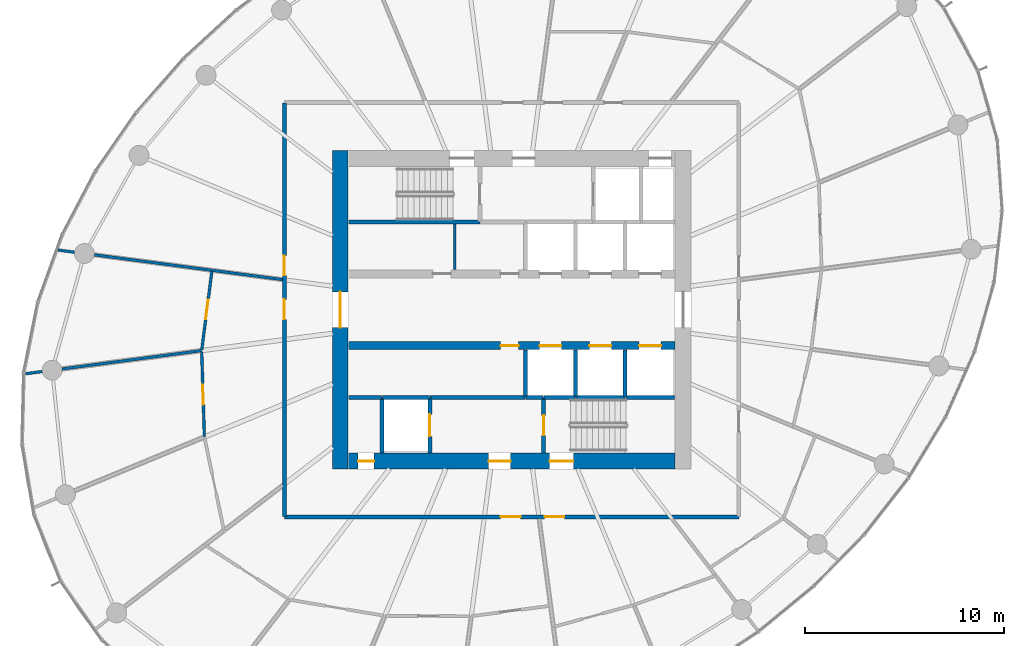
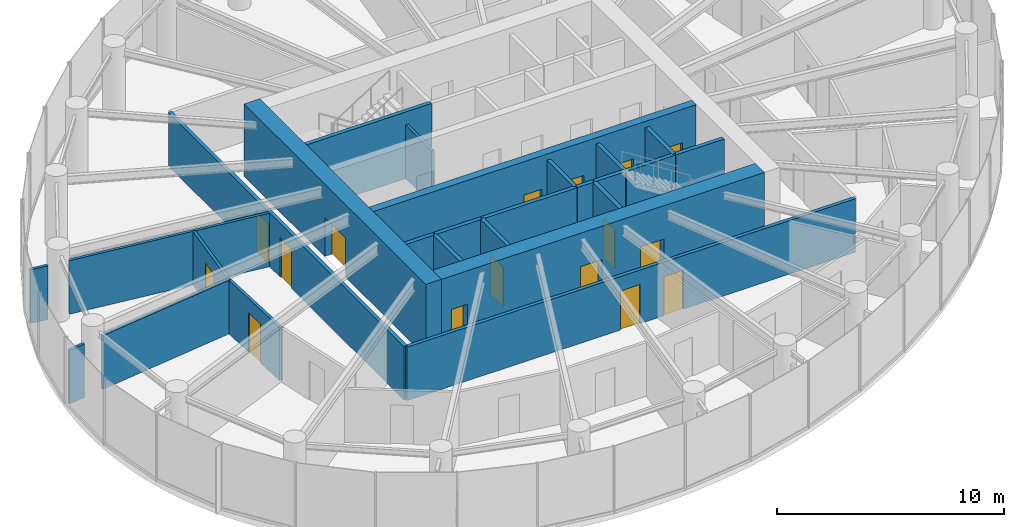
# One storey, part 9 of 14: 27 walls, 16 doors, 16 openings.
"""IFC4 building model written with IfcOpenShell, lengths in metres."""

from ifc_helpers import new_model, si_unit, direction, frame, frame_2d, origin, place, context, subcontext, project, spatial, rectangle, extrude, source, transform, mapped, material, layer, layer_set, type_object, element, fill, save


model = new_model("IFC4")

# Units and contexts
model_context = context("Model", 3, precision=1e-05, world=origin(), true_north=direction((0.0, 1.0)))
body_context = subcontext(model_context, "Body", "Model", "MODEL_VIEW")
ifc_project = project(units=[si_unit("LENGTHUNIT", "METRE"), si_unit("AREAUNIT", "SQUARE_METRE"), si_unit("VOLUMEUNIT", "CUBIC_METRE"), si_unit("PLANEANGLEUNIT", "RADIAN"), si_unit("MASSUNIT", "GRAM", prefix="KILO")], contexts=[model_context])

# Site, building, storey
site_placement = place(None, origin())
site = spatial("IfcSite", under=ifc_project, at=site_placement, CompositionType="ELEMENT")
building_placement = place(site_placement, origin())
building = spatial("IfcBuilding", under=site, at=building_placement, Name="Spindrift Exchange Tower", CompositionType="ELEMENT")
storey_placement = place(building_placement, frame((0.0, 0.0, 164.300048828125)))
storey = spatial("IfcBuildingStorey", under=building, at=storey_placement, Name="L39", CompositionType="ELEMENT", Elevation=164.300048828125)

# Wall, opening, door
ifc_material_1 = material(Name="Concrete 65 MPa", Category="concrete")
ifc_layer_1 = layer(ifc_material_1, 0.800048828125)
ifc_layer_set_1 = layer_set([ifc_layer_1], Name="RC Core Wall 800 Concrete 65 MPa")
wall_type_1 = type_object("IfcWallType", Name="RC Core Wall 800 Concrete 65 MPa", PredefinedType="SHEAR", material=ifc_layer_set_1)
wall_1_placement = place(storey_placement, frame((43.39990234375, 56.0, 0.0), z_axis=(0.0, 0.0, 1.0), x_axis=(0.0, -1.0, 0.0)))
wall_1 = element("IfcWall", 1, at=wall_1_placement, inside=storey, type_object=wall_type_1, Name="Core wall W L39", PredefinedType="SHEAR", context=body_context, shape_type="SweptSolid", body=[
    extrude(rectangle(XDim=16.0, YDim=0.800048828125, at=frame_2d((8.0, 0.0))), origin(), (0.0, 0.0, 1.0), 3.89990234375),
])
opening_1_placement = place(wall_1_placement, frame((7.10009765625, 0.0, 0.0)))
opening_1 = element("IfcOpeningElement", 2, at=opening_1_placement, cuts=wall_1, Name="Opening L39-D1", PredefinedType="OPENING", context=body_context, shape_type="SweptSolid", body=[
    extrude(rectangle(XDim=1.800048828125, YDim=2.10009765625, at=frame_2d((0.89990234375, 1.050048828125))), frame((0.0, 0.409912109375, 0.0), z_axis=(0.0, -1.0, 0.0), x_axis=(1.0, 0.0, 0.0)), (0.0, 0.0, 1.0), 0.820068359375),
])
ifc_material_2 = material(Name="Timber-core fire door", Category="wood")
door_type_1 = type_object("IfcDoorType", Name="DR-LOBBY-1800", OperationType="NOTDEFINED", PredefinedType="DOOR", material=ifc_material_2)
shared_shape_1 = source(origin(), body_context, "Body", "SweptSolid", [
    extrude(rectangle(XDim=1.800048828125, YDim=2.10009765625, at=frame_2d((0.89990234375, 1.050048828125))), frame((0.0, 0.02490234375, 0.0), z_axis=(0.0, -1.0, 0.0), x_axis=(1.0, 0.0, 0.0)), (0.0, 0.0, 1.0), 0.050048828125),
])
door_1_placement = place(opening_1_placement, origin())
door_1 = element("IfcDoor", 3, at=door_1_placement, inside=storey, type_object=door_type_1, Name="L39 Lobby door 1", OperationType="SINGLE_SWING_LEFT", OverallHeight=2.10009765625, OverallWidth=1.800048828125, PredefinedType="DOOR", context=body_context, shape_type="MappedRepresentation", body=[
    mapped(shared_shape_1, transform((0.0, 0.0, 0.0), scale=1.0)),
])
fill(opening_1, door_1)

# Wall, openings, doors
wall_2_placement = place(storey_placement, frame((43.800048828125, 40.39990234375, 0.0), z_axis=(0.0, 0.0, 1.0), x_axis=(1.0, 0.0, 0.0)))
wall_2 = element("IfcWall", 4, at=wall_2_placement, inside=storey, type_object=wall_type_1, Name="Core wall S L39", PredefinedType="SHEAR", context=body_context, shape_type="SweptSolid", body=[
    extrude(rectangle(XDim=16.39990234375, YDim=0.800048828125, at=frame_2d((8.199951171875, 0.0))), origin(), (0.0, 0.0, 1.0), 3.89990234375),
])
opening_2_placement = place(wall_2_placement, frame((10.10009765625, 0.0, 0.0)))
opening_2 = element("IfcOpeningElement", 5, at=opening_2_placement, cuts=wall_2, Name="Opening L39-D15", PredefinedType="OPENING", context=body_context, shape_type="SweptSolid", body=[
    extrude(rectangle(XDim=1.199951171875, YDim=2.10009765625, at=frame_2d((0.60009765625, 1.050048828125))), frame((0.0, 0.409912109375, 0.0), z_axis=(0.0, -1.0, 0.0), x_axis=(1.0, 0.0, 0.0)), (0.0, 0.0, 1.0), 0.820068359375),
])
opening_3_placement = place(wall_2_placement, frame((7.050048828125, 0.0, 0.0)))
opening_3 = element("IfcOpeningElement", 6, at=opening_3_placement, cuts=wall_2, Name="Opening L39-D17", PredefinedType="OPENING", context=body_context, shape_type="SweptSolid", body=[
    extrude(rectangle(XDim=1.10009765625, YDim=2.10009765625, at=frame_2d((0.550048828125, 1.050048828125))), frame((0.0, 0.409912109375, 0.0), z_axis=(0.0, -1.0, 0.0), x_axis=(1.0, 0.0, 0.0)), (0.0, 0.0, 1.0), 0.820068359375),
])
opening_4_placement = place(wall_2_placement, frame((0.5, 0.0, 0.0)))
opening_4 = element("IfcOpeningElement", 7, at=opening_4_placement, cuts=wall_2, Name="Opening L39-D18", PredefinedType="OPENING", context=body_context, shape_type="SweptSolid", body=[
    extrude(rectangle(XDim=0.800048828125, YDim=2.10009765625, at=frame_2d((0.39990234375, 1.050048828125))), frame((0.0, 0.409912109375, 0.0), z_axis=(0.0, -1.0, 0.0), x_axis=(1.0, 0.0, 0.0)), (0.0, 0.0, 1.0), 0.820068359375),
])
ifc_material_3 = material(Name="Steel fire door", Category="steel")
door_type_2 = type_object("IfcDoorType", Name="DR-STAIR-1200", OperationType="NOTDEFINED", PredefinedType="DOOR", material=ifc_material_3)
shared_shape_2 = source(origin(), body_context, "Body", "SweptSolid", [
    extrude(rectangle(XDim=1.199951171875, YDim=2.10009765625, at=frame_2d((0.60009765625, 1.050048828125))), frame((0.0, 0.02490234375, 0.0), z_axis=(0.0, -1.0, 0.0), x_axis=(1.0, 0.0, 0.0)), (0.0, 0.0, 1.0), 0.050048828125),
])
door_2_placement = place(opening_2_placement, origin())
door_2 = element("IfcDoor", 8, at=door_2_placement, inside=storey, type_object=door_type_2, Name="L39 Stair door 15", OperationType="SINGLE_SWING_RIGHT", OverallHeight=2.10009765625, OverallWidth=1.199951171875, PredefinedType="DOOR", context=body_context, shape_type="MappedRepresentation", body=[
    mapped(shared_shape_2, transform((0.0, 0.0, 0.0), scale=1.0)),
])
fill(opening_2, door_2)
door_type_3 = type_object("IfcDoorType", Name="DR-LOBBY-1100", OperationType="NOTDEFINED", PredefinedType="DOOR", material=ifc_material_2)
shared_shape_3 = source(origin(), body_context, "Body", "SweptSolid", [
    extrude(rectangle(XDim=1.10009765625, YDim=2.10009765625, at=frame_2d((0.550048828125, 1.050048828125))), frame((0.0, 0.02490234375, 0.0), z_axis=(0.0, -1.0, 0.0), x_axis=(1.0, 0.0, 0.0)), (0.0, 0.0, 1.0), 0.050048828125),
])
door_3_placement = place(opening_3_placement, origin())
door_3 = element("IfcDoor", 9, at=door_3_placement, inside=storey, type_object=door_type_3, Name="L39 Lobby door 17", OperationType="SINGLE_SWING_RIGHT", OverallHeight=2.10009765625, OverallWidth=1.10009765625, PredefinedType="DOOR", context=body_context, shape_type="MappedRepresentation", body=[
    mapped(shared_shape_3, transform((0.0, 0.0, 0.0), scale=1.0)),
])
fill(opening_3, door_3)
ifc_material_4 = material(Name="Steel access door", Category="steel")
door_type_4 = type_object("IfcDoorType", Name="DR-RISER-800", OperationType="NOTDEFINED", PredefinedType="DOOR", material=ifc_material_4)
shared_shape_4 = source(origin(), body_context, "Body", "SweptSolid", [
    extrude(rectangle(XDim=0.800048828125, YDim=2.10009765625, at=frame_2d((0.39990234375, 1.050048828125))), frame((0.0, 0.02490234375, 0.0), z_axis=(0.0, -1.0, 0.0), x_axis=(1.0, 0.0, 0.0)), (0.0, 0.0, 1.0), 0.050048828125),
])
door_4_placement = place(opening_4_placement, origin())
door_4 = element("IfcDoor", 10, at=door_4_placement, inside=storey, type_object=door_type_4, Name="L39 Riser door 18", OperationType="SINGLE_SWING_LEFT", OverallHeight=2.10009765625, OverallWidth=0.800048828125, PredefinedType="DOOR", context=body_context, shape_type="MappedRepresentation", body=[
    mapped(shared_shape_4, transform((0.0, 0.0, 0.0), scale=1.0)),
])
fill(opening_4, door_4)

ifc_layer_2 = layer(ifc_material_1, 0.39990234375)
ifc_layer_set_2 = layer_set([ifc_layer_2], Name="RC Spine Wall 400 Concrete 65 MPa")
wall_type_2 = type_object("IfcWallType", Name="RC Spine Wall 400 Concrete 65 MPa", PredefinedType="SHEAR", material=ifc_layer_set_2)
wall_3_placement = place(storey_placement, frame((43.800048828125, 46.199951171875, 0.0), z_axis=(0.0, 0.0, 1.0), x_axis=(1.0, 0.0, 0.0)))
wall_3 = element("IfcWall", 11, at=wall_3_placement, inside=storey, type_object=wall_type_2, Name="Core spine wall S L39", PredefinedType="SHEAR", context=body_context, shape_type="SweptSolid", body=[
    extrude(rectangle(XDim=16.39990234375, YDim=0.39990234375, at=frame_2d((8.199951171875, 0.0))), origin(), (0.0, 0.0, 1.0), 3.89990234375),
])
opening_5_placement = place(wall_3_placement, frame((9.60009765625, 0.0, 0.0)))
opening_5 = element("IfcOpeningElement", 12, at=opening_5_placement, cuts=wall_3, Name="Opening L39-D6", PredefinedType="OPENING", context=body_context, shape_type="SweptSolid", body=[
    extrude(rectangle(XDim=1.10009765625, YDim=2.10009765625, at=frame_2d((0.550048828125, 1.050048828125))), frame((0.0, 0.2099609375, 0.0), z_axis=(0.0, -1.0, 0.0), x_axis=(1.0, 0.0, 0.0)), (0.0, 0.0, 1.0), 0.419921875),
])
opening_6_placement = place(wall_3_placement, frame((12.10009765625, 0.0, 0.0)))
opening_6 = element("IfcOpeningElement", 13, at=opening_6_placement, cuts=wall_3, Name="Opening L39-D7", PredefinedType="OPENING", context=body_context, shape_type="SweptSolid", body=[
    extrude(rectangle(XDim=1.10009765625, YDim=2.10009765625, at=frame_2d((0.550048828125, 1.050048828125))), frame((0.0, 0.2099609375, 0.0), z_axis=(0.0, -1.0, 0.0), x_axis=(1.0, 0.0, 0.0)), (0.0, 0.0, 1.0), 0.419921875),
])
opening_7_placement = place(wall_3_placement, frame((14.60009765625, 0.0, 0.0)))
opening_7 = element("IfcOpeningElement", 14, at=opening_7_placement, cuts=wall_3, Name="Opening L39-D8", PredefinedType="OPENING", context=body_context, shape_type="SweptSolid", body=[
    extrude(rectangle(XDim=1.10009765625, YDim=2.10009765625, at=frame_2d((0.550048828125, 1.050048828125))), frame((0.0, 0.2099609375, 0.0), z_axis=(0.0, -1.0, 0.0), x_axis=(1.0, 0.0, 0.0)), (0.0, 0.0, 1.0), 0.419921875),
])
opening_8_placement = place(wall_3_placement, frame((7.64990234375, 0.0, 0.0)))
opening_8 = element("IfcOpeningElement", 15, at=opening_8_placement, cuts=wall_3, Name="Opening L39-D48", PredefinedType="OPENING", context=body_context, shape_type="SweptSolid", body=[
    extrude(rectangle(XDim=0.89990234375, YDim=2.10009765625, at=frame_2d((0.449951171875, 1.050048828125))), frame((0.0, 0.2099609375, 0.0), z_axis=(0.0, -1.0, 0.0), x_axis=(1.0, 0.0, 0.0)), (0.0, 0.0, 1.0), 0.419921875),
])
ifc_material_5 = material(Name="Stainless steel landing door", Category="steel")
door_type_5 = type_object("IfcDoorType", Name="DR-LANDING-1100-SL", OperationType="DOUBLE_DOOR_SLIDING", PredefinedType="USERDEFINED", material=ifc_material_5)
shared_shape_5 = source(origin(), body_context, "Body", "SweptSolid", [
    extrude(rectangle(XDim=1.10009765625, YDim=2.10009765625, at=frame_2d((0.550048828125, 1.050048828125))), frame((0.0, 0.02490234375, 0.0), z_axis=(0.0, -1.0, 0.0), x_axis=(1.0, 0.0, 0.0)), (0.0, 0.0, 1.0), 0.050048828125),
])
door_5_placement = place(opening_5_placement, origin())
door_5 = element("IfcDoor", 16, at=door_5_placement, inside=storey, type_object=door_type_5, Name="L39 Lift landing door 6", ObjectType="LANDING DOOR", OperationType="DOUBLE_DOOR_SLIDING", OverallHeight=2.10009765625, OverallWidth=1.10009765625, PredefinedType="USERDEFINED", context=body_context, shape_type="MappedRepresentation", body=[
    mapped(shared_shape_5, transform((0.0, 0.0, 0.0), scale=1.0)),
])
fill(opening_5, door_5)
door_6_placement = place(opening_6_placement, origin())
door_6 = element("IfcDoor", 17, at=door_6_placement, inside=storey, type_object=door_type_5, Name="L39 Lift landing door 7", ObjectType="LANDING DOOR", OperationType="DOUBLE_DOOR_SLIDING", OverallHeight=2.10009765625, OverallWidth=1.10009765625, PredefinedType="USERDEFINED", context=body_context, shape_type="MappedRepresentation", body=[
    mapped(shared_shape_5, transform((0.0, 0.0, 0.0), scale=1.0)),
])
fill(opening_6, door_6)
door_7_placement = place(opening_7_placement, origin())
door_7 = element("IfcDoor", 18, at=door_7_placement, inside=storey, type_object=door_type_5, Name="L39 Lift landing door 8", ObjectType="LANDING DOOR", OperationType="DOUBLE_DOOR_SLIDING", OverallHeight=2.10009765625, OverallWidth=1.10009765625, PredefinedType="USERDEFINED", context=body_context, shape_type="MappedRepresentation", body=[
    mapped(shared_shape_5, transform((0.0, 0.0, 0.0), scale=1.0)),
])
fill(opening_7, door_7)
door_type_6 = type_object("IfcDoorType", Name="DR-RISER-900", OperationType="NOTDEFINED", PredefinedType="DOOR", material=ifc_material_4)
shared_shape_6 = source(origin(), body_context, "Body", "SweptSolid", [
    extrude(rectangle(XDim=0.89990234375, YDim=2.10009765625, at=frame_2d((0.449951171875, 1.050048828125))), frame((0.0, 0.02490234375, 0.0), z_axis=(0.0, -1.0, 0.0), x_axis=(1.0, 0.0, 0.0)), (0.0, 0.0, 1.0), 0.050048828125),
])
door_8_placement = place(opening_8_placement, origin())
door_8 = element("IfcDoor", 19, at=door_8_placement, inside=storey, type_object=door_type_6, Name="L39 Riser door 48", OperationType="SINGLE_SWING_LEFT", OverallHeight=2.10009765625, OverallWidth=0.89990234375, PredefinedType="DOOR", context=body_context, shape_type="MappedRepresentation", body=[
    mapped(shared_shape_6, transform((0.0, 0.0, 0.0), scale=1.0)),
])
fill(opening_8, door_8)

ifc_material_6 = material(Name="Fire-rated plasterboard partition", Category="gypsum")
ifc_layer_3 = layer(ifc_material_6, 0.179931640625)
ifc_layer_set_3 = layer_set([ifc_layer_3], Name="W-CORR-180")
wall_type_3 = type_object("IfcWallType", Name="W-CORR-180", PredefinedType="PARTITIONING", material=ifc_layer_set_3)
wall_4_placement = place(storey_placement, frame((63.39990234375, 37.60009765625, 0.0), z_axis=(0.0, 0.0, 1.0), x_axis=(-1.0, 0.0, 0.0)))
wall_4 = element("IfcWall", 20, at=wall_4_placement, inside=storey, type_object=wall_type_3, Name="L39 Partition wall 28", PredefinedType="PARTITIONING", context=body_context, shape_type="SweptSolid", body=[
    extrude(rectangle(XDim=22.7998046875, YDim=0.179931640625, at=frame_2d((11.39990234375, 0.0))), origin(), (0.0, 0.0, 1.0), 2.8798828125),
])
opening_9_placement = place(wall_4_placement, frame((10.949951171875, 0.0, 0.0)))
opening_9 = element("IfcOpeningElement", 21, at=opening_9_placement, cuts=wall_4, Name="Opening L39-D28", PredefinedType="OPENING", context=body_context, shape_type="SweptSolid", body=[
    extrude(rectangle(XDim=1.0, YDim=2.10009765625, at=frame_2d((0.5, 1.050048828125))), frame((0.0, 0.099853515625, 0.0), z_axis=(0.0, -1.0, 0.0), x_axis=(1.0, 0.0, 0.0)), (0.0, 0.0, 1.0), 0.199951171875),
])
opening_10_placement = place(wall_4_placement, frame((8.75, 0.0, 0.0)))
opening_10 = element("IfcOpeningElement", 22, at=opening_10_placement, cuts=wall_4, Name="Opening L39-D33", PredefinedType="OPENING", context=body_context, shape_type="SweptSolid", body=[
    extrude(rectangle(XDim=1.0, YDim=2.10009765625, at=frame_2d((0.5, 1.050048828125))), frame((0.0, 0.099853515625, 0.0), z_axis=(0.0, -1.0, 0.0), x_axis=(1.0, 0.0, 0.0)), (0.0, 0.0, 1.0), 0.199951171875),
])
door_type_7 = type_object("IfcDoorType", Name="DR-ROOM-1000", OperationType="NOTDEFINED", PredefinedType="DOOR", material=ifc_material_2)
shared_shape_7 = source(origin(), body_context, "Body", "SweptSolid", [
    extrude(rectangle(XDim=1.0, YDim=2.10009765625, at=frame_2d((0.5, 1.050048828125))), frame((0.0, 0.02490234375, 0.0), z_axis=(0.0, -1.0, 0.0), x_axis=(1.0, 0.0, 0.0)), (0.0, 0.0, 1.0), 0.050048828125),
])
door_9_placement = place(opening_9_placement, origin())
door_9 = element("IfcDoor", 23, at=door_9_placement, inside=storey, type_object=door_type_7, Name="L39 Door 28", OperationType="SINGLE_SWING_LEFT", OverallHeight=2.10009765625, OverallWidth=1.0, PredefinedType="DOOR", context=body_context, shape_type="MappedRepresentation", body=[
    mapped(shared_shape_7, transform((0.0, 0.0, 0.0), scale=1.0)),
])
fill(opening_9, door_9)
door_10_placement = place(opening_10_placement, origin())
door_10 = element("IfcDoor", 24, at=door_10_placement, inside=storey, type_object=door_type_7, Name="L39 Door 33", OperationType="SINGLE_SWING_RIGHT", OverallHeight=2.10009765625, OverallWidth=1.0, PredefinedType="DOOR", context=body_context, shape_type="MappedRepresentation", body=[
    mapped(shared_shape_7, transform((0.0, 0.0, 0.0), scale=1.0)),
])
fill(opening_10, door_10)

wall_5_placement = place(storey_placement, frame((40.60009765625, 37.6298828125, 0.0), z_axis=(0.0, 0.0, 1.0), x_axis=(0.0, 1.0, 0.0)))
wall_5 = element("IfcWall", 25, at=wall_5_placement, inside=storey, type_object=wall_type_3, Name="L39 Partition wall 30", PredefinedType="PARTITIONING", context=body_context, shape_type="SweptSolid", body=[
    extrude(rectangle(XDim=20.740234375, YDim=0.179931640625, at=frame_2d((10.3701171875, 0.0))), origin(), (0.0, 0.0, 1.0), 2.8798828125),
])
opening_11_placement = place(wall_5_placement, frame((12.090087890625, 0.0, 0.0)))
opening_11 = element("IfcOpeningElement", 26, at=opening_11_placement, cuts=wall_5, Name="Opening L39-D23", PredefinedType="OPENING", context=body_context, shape_type="SweptSolid", body=[
    extrude(rectangle(XDim=1.0, YDim=2.10009765625, at=frame_2d((0.5, 1.050048828125))), frame((0.0, 0.099853515625, 0.0), z_axis=(0.0, -1.0, 0.0), x_axis=(1.0, 0.0, 0.0)), (0.0, 0.0, 1.0), 0.199951171875),
])
opening_12_placement = place(wall_5_placement, frame((9.889892578125, 0.0, 0.0)))
opening_12 = element("IfcOpeningElement", 27, at=opening_12_placement, cuts=wall_5, Name="Opening L39-D24", PredefinedType="OPENING", context=body_context, shape_type="SweptSolid", body=[
    extrude(rectangle(XDim=1.0, YDim=2.10009765625, at=frame_2d((0.5, 1.050048828125))), frame((0.0, 0.099853515625, 0.0), z_axis=(0.0, -1.0, 0.0), x_axis=(1.0, 0.0, 0.0)), (0.0, 0.0, 1.0), 0.199951171875),
])
door_11_placement = place(opening_11_placement, origin())
door_11 = element("IfcDoor", 28, at=door_11_placement, inside=storey, type_object=door_type_7, Name="L39 Door 23", OperationType="SINGLE_SWING_RIGHT", OverallHeight=2.10009765625, OverallWidth=1.0, PredefinedType="DOOR", context=body_context, shape_type="MappedRepresentation", body=[
    mapped(shared_shape_7, transform((0.0, 0.0, 0.0), scale=1.0)),
])
fill(opening_11, door_11)
door_12_placement = place(opening_12_placement, origin())
door_12 = element("IfcDoor", 29, at=door_12_placement, inside=storey, type_object=door_type_7, Name="L39 Door 24", OperationType="SINGLE_SWING_LEFT", OverallHeight=2.10009765625, OverallWidth=1.0, PredefinedType="DOOR", context=body_context, shape_type="MappedRepresentation", body=[
    mapped(shared_shape_7, transform((0.0, 0.0, 0.0), scale=1.0)),
])
fill(opening_12, door_12)

# Walls
ifc_layer_4 = layer(ifc_material_6, 0.139892578125)
ifc_layer_set_4 = layer_set([ifc_layer_4], Name="W-PART-140")
wall_type_4 = type_object("IfcWallType", Name="W-PART-140", PredefinedType="PARTITIONING", material=ifc_layer_set_4)
wall_6_placement = place(storey_placement, frame((36.444091796875, 45.951904296875, 0.0), z_axis=(0.0, 0.0, 1.0), x_axis=(-0.991449473543, -0.130491154531, 0.0)))
element("IfcWall", 30, at=wall_6_placement, inside=storey, type_object=wall_type_4, Name="L39 Partition wall 34", PredefinedType="PARTITIONING", context=body_context, shape_type="SweptSolid", body=[
    extrude(rectangle(XDim=7.06640625, YDim=0.139892578125, at=frame_2d((3.533203125, 0.0))), origin(), (0.0, 0.0, 1.0), 2.8798828125),
])
wall_7_placement = place(storey_placement, frame((36.96142578125, 49.97998046875, 0.0), z_axis=(0.0, 0.0, 1.0), x_axis=(-0.991449269799, 0.130492702536, 0.0)))
element("IfcWall", 31, at=wall_7_placement, inside=storey, type_object=wall_type_4, Name="L39 Partition wall 39", PredefinedType="PARTITIONING", context=body_context, shape_type="SweptSolid", body=[
    extrude(rectangle(XDim=5.953369140625, YDim=0.139892578125, at=frame_2d((2.9765625, 0.0))), origin(), (0.0, 0.0, 1.0), 2.8798828125),
])

# Wall, opening, door
wall_8_placement = place(storey_placement, frame((36.579345703125, 41.642822265625, 0.0), z_axis=(0.0, 0.0, 1.0), x_axis=(-0.031374938864, 0.999507685419, 0.0)))
wall_8 = element("IfcWall", 32, at=wall_8_placement, inside=storey, type_object=wall_type_4, Name="L39 Partition wall 58", PredefinedType="PARTITIONING", context=body_context, shape_type="SweptSolid", body=[
    extrude(rectangle(XDim=4.240966796875, YDim=0.139892578125, at=frame_2d((2.12060546875, 0.0))), origin(), (0.0, 0.0, 1.0), 2.8798828125),
])
opening_13_placement = place(wall_8_placement, frame((1.5908203125, 0.0, 0.0)))
opening_13 = element("IfcOpeningElement", 33, at=opening_13_placement, cuts=wall_8, Name="Opening L39-D26", PredefinedType="OPENING", context=body_context, shape_type="SweptSolid", body=[
    extrude(rectangle(XDim=1.0, YDim=2.10009765625, at=frame_2d((0.5, 1.050048828125))), frame((0.0, 0.079833984375, 0.0), z_axis=(0.0, -1.0, 0.0), x_axis=(1.0, 0.0, 0.0)), (0.0, 0.0, 1.0), 0.159912109375),
])
door_13_placement = place(opening_13_placement, origin())
door_13 = element("IfcDoor", 34, at=door_13_placement, inside=storey, type_object=door_type_7, Name="L39 Door 26", OperationType="SINGLE_SWING_LEFT", OverallHeight=2.10009765625, OverallWidth=1.0, PredefinedType="DOOR", context=body_context, shape_type="MappedRepresentation", body=[
    mapped(shared_shape_7, transform((0.0, 0.0, 0.0), scale=1.0)),
])
fill(opening_13, door_13)

wall_9_placement = place(storey_placement, frame((36.447998046875, 45.981689453125, 0.0), z_axis=(0.0, 0.0, 1.0), x_axis=(0.127345948967, 0.991858361502, 0.0)))
wall_9 = element("IfcWall", 35, at=wall_9_placement, inside=storey, type_object=wall_type_4, Name="L39 Partition wall 64", PredefinedType="PARTITIONING", context=body_context, shape_type="SweptSolid", body=[
    extrude(rectangle(XDim=4.0009765625, YDim=0.139892578125, at=frame_2d((2.00048828125, 0.0))), origin(), (0.0, 0.0, 1.0), 2.8798828125),
])
opening_14_placement = place(wall_9_placement, frame((1.551025390625, 0.0, 0.0)))
opening_14 = element("IfcOpeningElement", 36, at=opening_14_placement, cuts=wall_9, Name="Opening L39-D25", PredefinedType="OPENING", context=body_context, shape_type="SweptSolid", body=[
    extrude(rectangle(XDim=1.0, YDim=2.10009765625, at=frame_2d((0.5, 1.050048828125))), frame((0.0, 0.079833984375, 0.0), z_axis=(0.0, -1.0, 0.0), x_axis=(1.0, 0.0, 0.0)), (0.0, 0.0, 1.0), 0.159912109375),
])
door_14_placement = place(opening_14_placement, origin())
door_14 = element("IfcDoor", 37, at=door_14_placement, inside=storey, type_object=door_type_7, Name="L39 Door 25", OperationType="SINGLE_SWING_RIGHT", OverallHeight=2.10009765625, OverallWidth=1.0, PredefinedType="DOOR", context=body_context, shape_type="MappedRepresentation", body=[
    mapped(shared_shape_7, transform((0.0, 0.0, 0.0), scale=1.0)),
])
fill(opening_14, door_14)

# Walls
wall_10_placement = place(storey_placement, frame((40.510009765625, 49.5126953125, 0.0), z_axis=(0.0, 0.0, 1.0), x_axis=(-0.991449378026, 0.130491880255, 0.0)))
element("IfcWall", 38, at=wall_10_placement, inside=storey, type_object=wall_type_4, Name="L39 Partition wall 71", PredefinedType="PARTITIONING", context=body_context, shape_type="SweptSolid", body=[
    extrude(rectangle(XDim=3.549072265625, YDim=0.139892578125, at=frame_2d((1.7744140625, 0.0))), origin(), (0.0, 0.0, 1.0), 2.8798828125),
])
wall_11_placement = place(storey_placement, frame((49.139892578125, 50.010009765625, 0.0), z_axis=(0.0, 0.0, 1.0), x_axis=(0.0, 1.0, 0.0)))
element("IfcWall", 39, at=wall_11_placement, inside=storey, type_object=wall_type_4, Name="L39 Partition wall 74", PredefinedType="PARTITIONING", context=body_context, shape_type="SweptSolid", body=[
    extrude(rectangle(XDim=2.2900390625, YDim=0.139892578125, at=frame_2d((1.14501953125, 0.0))), origin(), (0.0, 0.0, 1.0), 2.8798828125),
])
wall_12_placement = place(storey_placement, frame((30.058837890625, 50.888671875, 0.0), z_axis=(0.0, 0.0, 1.0), x_axis=(-0.991453302112, 0.130462062421, 0.0)))
element("IfcWall", 40, at=wall_12_placement, inside=storey, type_object=wall_type_4, Name="L39 Partition wall 90", PredefinedType="PARTITIONING", context=body_context, shape_type="SweptSolid", body=[
    extrude(rectangle(XDim=0.83642578125, YDim=0.139892578125, at=frame_2d((0.418212890625, 0.0))), origin(), (0.0, 0.0, 1.0), 2.8798828125),
])
wall_13_placement = place(storey_placement, frame((28.43798828125, 44.89794921875, 0.0), z_axis=(0.0, 0.0, 1.0), x_axis=(-0.991444308748, -0.130530389761, 0.0)))
element("IfcWall", 41, at=wall_13_placement, inside=storey, type_object=wall_type_4, Name="L39 Partition wall 93", PredefinedType="PARTITIONING", context=body_context, shape_type="SweptSolid", body=[
    extrude(rectangle(XDim=0.832275390625, YDim=0.139892578125, at=frame_2d((0.416015625, 0.0))), origin(), (0.0, 0.0, 1.0), 2.8798828125),
])
ifc_material_7 = material(Name="Concrete 40 MPa", Category="concrete")
ifc_layer_5 = layer(ifc_material_7, 0.199951171875)
ifc_layer_set_5 = layer_set([ifc_layer_5], Name="W-SHAFT-200")
wall_type_5 = type_object("IfcWallType", Name="W-SHAFT-200", PredefinedType="SOLIDWALL", material=ifc_layer_set_5)
wall_14_placement = place(storey_placement, frame((52.699951171875, 43.60009765625, 0.0), z_axis=(0.0, 0.0, 1.0), x_axis=(-1.0, 0.0, 0.0)))
element("IfcWall", 42, at=wall_14_placement, inside=storey, type_object=wall_type_5, Name="L39 Shaft wall 2", PredefinedType="SOLIDWALL", context=body_context, shape_type="SweptSolid", body=[
    extrude(rectangle(XDim=4.800048828125, YDim=0.199951171875, at=frame_2d((2.39990234375, 0.0))), origin(), (0.0, 0.0, 1.0), 3.579833984375),
])
wall_15_placement = place(storey_placement, frame((45.5, 43.60009765625, 0.0), z_axis=(0.0, 0.0, 1.0), x_axis=(0.0, -1.0, 0.0)))
element("IfcWall", 43, at=wall_15_placement, inside=storey, type_object=wall_type_5, Name="L39 Shaft wall 3", PredefinedType="SOLIDWALL", context=body_context, shape_type="SweptSolid", body=[
    extrude(rectangle(XDim=2.780029296875, YDim=0.199951171875, at=frame_2d((1.39013671875, 0.0))), origin(), (0.0, 0.0, 1.0), 3.579833984375),
])

# Wall, opening, door
wall_16_placement = place(storey_placement, frame((47.89990234375, 40.820068359375, 0.0), z_axis=(0.0, 0.0, 1.0), x_axis=(0.0, 1.0, 0.0)))
wall_16 = element("IfcWall", 44, at=wall_16_placement, inside=storey, type_object=wall_type_5, Name="L39 Shaft wall 4", PredefinedType="SOLIDWALL", context=body_context, shape_type="SweptSolid", body=[
    extrude(rectangle(XDim=2.75, YDim=0.199951171875, at=frame_2d((1.375, 0.0))), origin(), (0.0, 0.0, 1.0), 3.579833984375),
])
opening_15_placement = place(wall_16_placement, frame((0.830078125, 0.0, 0.0)))
opening_15 = element("IfcOpeningElement", 45, at=opening_15_placement, cuts=wall_16, Name="Opening L39-D10", PredefinedType="OPENING", context=body_context, shape_type="SweptSolid", body=[
    extrude(rectangle(XDim=1.10009765625, YDim=2.10009765625, at=frame_2d((0.550048828125, 1.050048828125))), frame((0.0, 0.10986328125, 0.0), z_axis=(0.0, -1.0, 0.0), x_axis=(1.0, 0.0, 0.0)), (0.0, 0.0, 1.0), 0.219970703125),
])
door_15_placement = place(opening_15_placement, origin())
door_15 = element("IfcDoor", 46, at=door_15_placement, inside=storey, type_object=door_type_5, Name="L39 Lift landing door 10", ObjectType="LANDING DOOR", OperationType="DOUBLE_DOOR_SLIDING", OverallHeight=2.10009765625, OverallWidth=1.10009765625, PredefinedType="USERDEFINED", context=body_context, shape_type="MappedRepresentation", body=[
    mapped(shared_shape_5, transform((0.0, 0.0, 0.0), scale=1.0)),
])
fill(opening_15, door_15)

# Walls
wall_17_placement = place(storey_placement, frame((47.8701171875, 43.60009765625, 0.0), z_axis=(0.0, 0.0, 1.0), x_axis=(-1.0, 0.0, 0.0)))
element("IfcWall", 47, at=wall_17_placement, inside=storey, type_object=wall_type_5, Name="L39 Shaft wall 12", PredefinedType="SOLIDWALL", context=body_context, shape_type="SweptSolid", body=[
    extrude(rectangle(XDim=2.340087890625, YDim=0.199951171875, at=frame_2d((1.169921875, 0.0))), origin(), (0.0, 0.0, 1.0), 3.579833984375),
])
wall_18_placement = place(storey_placement, frame((52.699951171875, 45.989990234375, 0.0), z_axis=(0.0, 0.0, 1.0), x_axis=(0.0, -1.0, 0.0)))
element("IfcWall", 48, at=wall_18_placement, inside=storey, type_object=wall_type_5, Name="L39 Shaft wall 13", PredefinedType="SOLIDWALL", context=body_context, shape_type="SweptSolid", body=[
    extrude(rectangle(XDim=2.360107421875, YDim=0.199951171875, at=frame_2d((1.18017578125, 0.0))), origin(), (0.0, 0.0, 1.0), 3.579833984375),
])
wall_19_placement = place(storey_placement, frame((45.469970703125, 43.60009765625, 0.0), z_axis=(0.0, 0.0, 1.0), x_axis=(-1.0, 0.0, 0.0)))
element("IfcWall", 49, at=wall_19_placement, inside=storey, type_object=wall_type_5, Name="L39 Shaft wall 20", PredefinedType="SOLIDWALL", context=body_context, shape_type="SweptSolid", body=[
    extrude(rectangle(XDim=1.64990234375, YDim=0.199951171875, at=frame_2d((0.824951171875, 0.0))), origin(), (0.0, 0.0, 1.0), 3.579833984375),
])
ifc_layer_6 = layer(ifc_material_7, 0.199951171875)
ifc_layer_set_6 = layer_set([ifc_layer_6], Name="W-SHAFT-200-LB")
wall_type_6 = type_object("IfcWallType", Name="W-SHAFT-200-LB", PredefinedType="SOLIDWALL", material=ifc_layer_set_6)
wall_20_placement = place(storey_placement, frame((43.820068359375, 52.39990234375, 0.0), z_axis=(0.0, 0.0, 1.0), x_axis=(1.0, 0.0, 0.0)))
element("IfcWall", 50, at=wall_20_placement, inside=storey, type_object=wall_type_6, Name="L39 Shaft wall 1", PredefinedType="SOLIDWALL", context=body_context, shape_type="SweptSolid", body=[
    extrude(rectangle(XDim=6.579833984375, YDim=0.199951171875, at=frame_2d((3.2900390625, 0.0))), origin(), (0.0, 0.0, 1.0), 3.579833984375),
])

# Wall, opening, door
wall_21_placement = place(storey_placement, frame((53.60009765625, 43.60009765625, 0.0), z_axis=(0.0, 0.0, 1.0), x_axis=(0.0, -1.0, 0.0)))
wall_21 = element("IfcWall", 51, at=wall_21_placement, inside=storey, type_object=wall_type_6, Name="L39 Shaft wall 6", PredefinedType="SOLIDWALL", context=body_context, shape_type="SweptSolid", body=[
    extrude(rectangle(XDim=2.780029296875, YDim=0.199951171875, at=frame_2d((1.39013671875, 0.0))), origin(), (0.0, 0.0, 1.0), 3.579833984375),
])
opening_16_placement = place(wall_21_placement, frame((0.89990234375, 0.0, 0.0)))
opening_16 = element("IfcOpeningElement", 52, at=opening_16_placement, cuts=wall_21, Name="Opening L39-D16", PredefinedType="OPENING", context=body_context, shape_type="SweptSolid", body=[
    extrude(rectangle(XDim=1.0, YDim=2.10009765625, at=frame_2d((0.5, 1.050048828125))), frame((0.0, 0.10986328125, 0.0), z_axis=(0.0, -1.0, 0.0), x_axis=(1.0, 0.0, 0.0)), (0.0, 0.0, 1.0), 0.219970703125),
])
door_type_8 = type_object("IfcDoorType", Name="DR-STAIR-1000", OperationType="NOTDEFINED", PredefinedType="DOOR", material=ifc_material_3)
shared_shape_8 = source(origin(), body_context, "Body", "SweptSolid", [
    extrude(rectangle(XDim=1.0, YDim=2.10009765625, at=frame_2d((0.5, 1.050048828125))), frame((0.0, 0.02490234375, 0.0), z_axis=(0.0, -1.0, 0.0), x_axis=(1.0, 0.0, 0.0)), (0.0, 0.0, 1.0), 0.050048828125),
])
door_16_placement = place(opening_16_placement, origin())
door_16 = element("IfcDoor", 53, at=door_16_placement, inside=storey, type_object=door_type_8, Name="L39 Stair door 16", OperationType="SINGLE_SWING_LEFT", OverallHeight=2.10009765625, OverallWidth=1.0, PredefinedType="DOOR", context=body_context, shape_type="MappedRepresentation", body=[
    mapped(shared_shape_8, transform((0.0, 0.0, 0.0), scale=1.0)),
])
fill(opening_16, door_16)

# Walls
wall_22_placement = place(storey_placement, frame((55.199951171875, 43.60009765625, 0.0), z_axis=(0.0, 0.0, 1.0), x_axis=(1.0, 0.0, 0.0)))
element("IfcWall", 54, at=wall_22_placement, inside=storey, type_object=wall_type_6, Name="L39 Shaft wall 10", PredefinedType="SOLIDWALL", context=body_context, shape_type="SweptSolid", body=[
    extrude(rectangle(XDim=2.5, YDim=0.199951171875, at=frame_2d((1.25, 0.0))), origin(), (0.0, 0.0, 1.0), 3.579833984375),
])
wall_23_placement = place(storey_placement, frame((57.72998046875, 43.60009765625, 0.0), z_axis=(0.0, 0.0, 1.0), x_axis=(1.0, 0.0, 0.0)))
element("IfcWall", 55, at=wall_23_placement, inside=storey, type_object=wall_type_6, Name="L39 Shaft wall 11", PredefinedType="SOLIDWALL", context=body_context, shape_type="SweptSolid", body=[
    extrude(rectangle(XDim=2.449951171875, YDim=0.199951171875, at=frame_2d((1.22509765625, 0.0))), origin(), (0.0, 0.0, 1.0), 3.579833984375),
])
for number, where, z_axis, x_axis, name in (
    (56, (55.199951171875, 43.6298828125, 0.0), (0.0, 0.0, 1.0), (0.0, 1.0, 0.0), "L39 Shaft wall 15"),
    (57, (57.699951171875, 43.6298828125, 0.0), (0.0, 0.0, 1.0), (0.0, 1.0, 0.0), "L39 Shaft wall 17"),
):
    element("IfcWall", number, at=place(storey_placement, frame(where, z_axis=z_axis, x_axis=x_axis)), inside=storey, type_object=wall_type_6, Name=name, PredefinedType="SOLIDWALL", context=body_context, shape_type="SweptSolid", body=[
        extrude(rectangle(XDim=2.360107421875, YDim=0.199951171875, at=frame_2d((1.18017578125, 0.0))), origin(), (0.0, 0.0, 1.0), 3.579833984375),
    ])
wall_24_placement = place(storey_placement, frame((53.6298828125, 43.60009765625, 0.0), z_axis=(0.0, 0.0, 1.0), x_axis=(1.0, 0.0, 0.0)))
element("IfcWall", 58, at=wall_24_placement, inside=storey, type_object=wall_type_6, Name="L39 Shaft wall 22", PredefinedType="SOLIDWALL", context=body_context, shape_type="SweptSolid", body=[
    extrude(rectangle(XDim=1.5400390625, YDim=0.199951171875, at=frame_2d((0.77001953125, 0.0))), origin(), (0.0, 0.0, 1.0), 3.579833984375),
])
wall_25_placement = place(storey_placement, frame((52.72998046875, 43.60009765625, 0.0), z_axis=(0.0, 0.0, 1.0), x_axis=(1.0, 0.0, 0.0)))
element("IfcWall", 59, at=wall_25_placement, inside=storey, type_object=wall_type_6, Name="L39 Shaft wall 24", PredefinedType="SOLIDWALL", context=body_context, shape_type="SweptSolid", body=[
    extrude(rectangle(XDim=0.840087890625, YDim=0.199951171875, at=frame_2d((0.419921875, 0.0))), origin(), (0.0, 0.0, 1.0), 3.579833984375),
])

save(model, "model.ifc")
